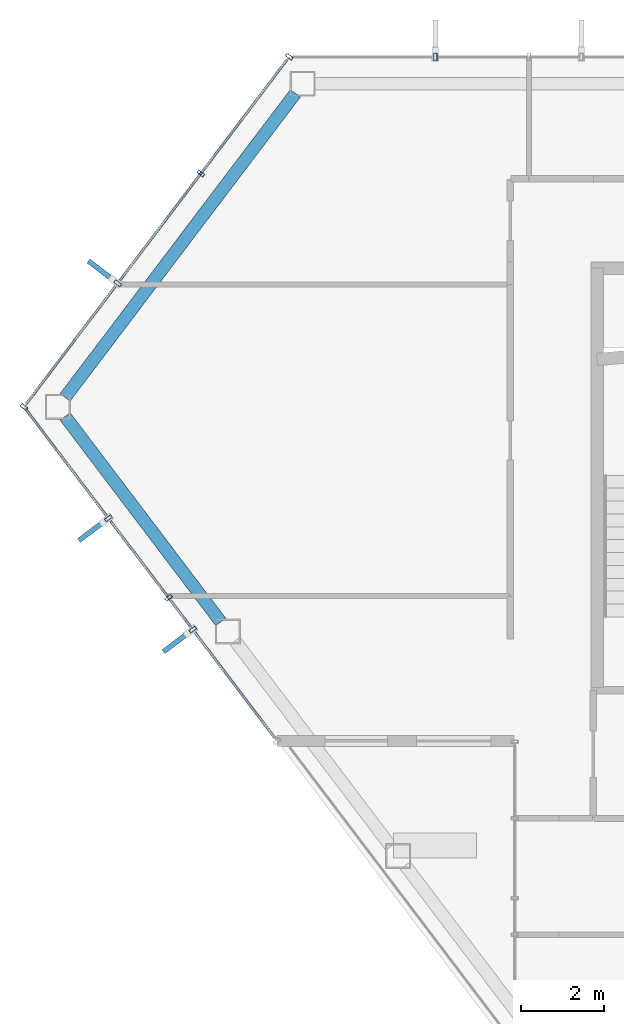
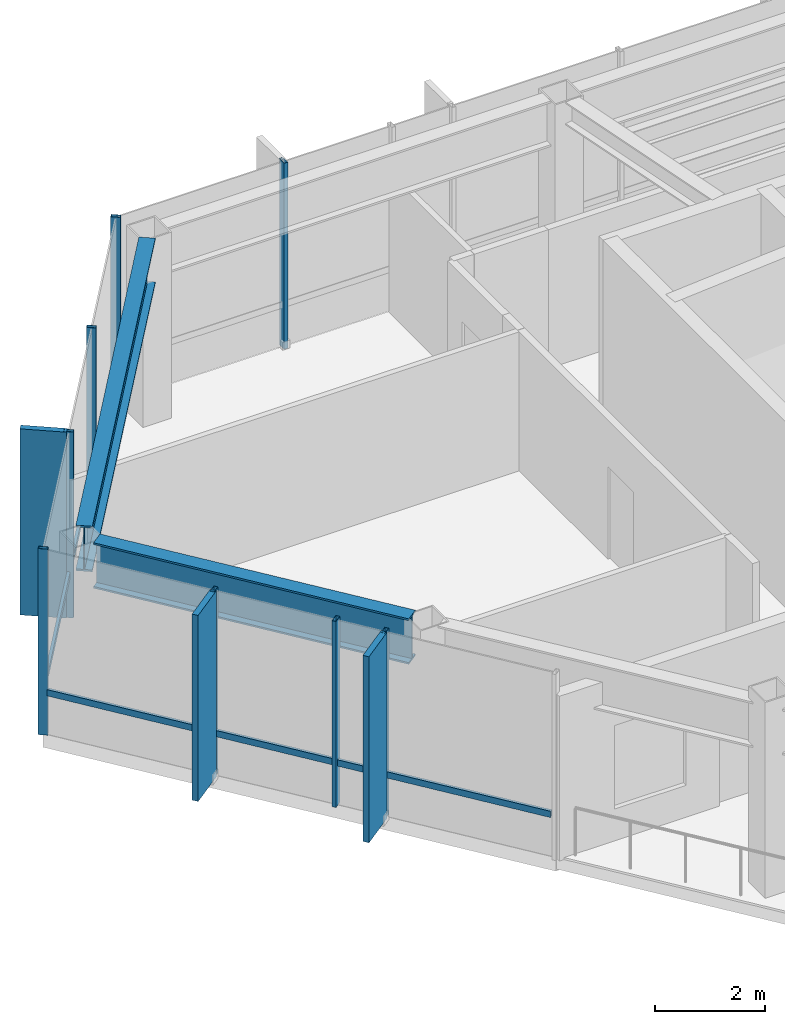
# One storey, part 7 of 23: 13 members, 2 beams, 3 elements without a shape of their own.
"""IFC4 building model written with IfcOpenShell, lengths in metres."""

from ifc_helpers import new_model, si_unit, direction, frame, origin, origin_2d, place, context, subcontext, project, spatial, rectangle, hollow_rectangle, i_section, extrude, material, layer, layer_set, material_profile, profile_set, type_object, element, aggregate, save


model = new_model("IFC4")

# Units and contexts
model_context = context("Model", 3, precision=1e-05, world=origin(), true_north=direction((0.0, 1.0)))
body_context = subcontext(model_context, "Body", "Model", "MODEL_VIEW")
ifc_project = project(units=[si_unit("LENGTHUNIT", "METRE"), si_unit("AREAUNIT", "SQUARE_METRE"), si_unit("VOLUMEUNIT", "CUBIC_METRE"), si_unit("PLANEANGLEUNIT", "RADIAN"), si_unit("MASSUNIT", "GRAM", prefix="KILO")], contexts=[model_context])

# Site, building, storey
site_placement = place(None, origin())
site = spatial("IfcSite", under=ifc_project, at=site_placement, CompositionType="ELEMENT")
building_placement = place(site_placement, origin())
building = spatial("IfcBuilding", under=site, at=building_placement, Name="Zarrinselat Tower", CompositionType="ELEMENT")
storey_placement = place(building_placement, frame((0.0, 0.0, 199.919921875)))
storey = spatial("IfcBuildingStorey", under=building, at=storey_placement, Name="L49", CompositionType="ELEMENT", Elevation=199.919921875)

# Beams
ifc_material_1 = material(Name="Steel S460M", Category="steel")
ifc_material_profile_1 = material_profile(ifc_material_1, i_section(OverallWidth=0.302001953125, OverallDepth=1.008056640625, WebThickness=0.02099609375, FlangeThickness=0.0400390625, at=origin_2d()), Name="HEM 1000")
ifc_profile_set_1 = profile_set([ifc_material_profile_1], Name="Steel S460M")
beam_type = type_object("IfcBeamType", Name="BM-HEM1000", PredefinedType="BEAM", material=ifc_profile_set_1)
beam_1_placement = place(storey_placement, frame((15.83203125, 40.28759765625, 3.615966796875), z_axis=(0.603862805191, 0.797088271465, 0.0), x_axis=(-0.797088271465, 0.603862805191, 0.0)))
element("IfcBeam", 1, at=beam_1_placement, inside=storey, type_object=beam_type, Name="L49 Perimeter Spandrel Girder SP05", PredefinedType="BEAM", context=body_context, shape_type="SweptSolid", body=[
    extrude(i_section(OverallWidth=0.302001953125, OverallDepth=1.008056640625, WebThickness=0.02099609375, FlangeThickness=0.0400390625, at=origin_2d()), origin(), (0.0, 0.0, 1.0), 9.185546875),
])
beam_2_placement = place(storey_placement, frame((15.83203125, 39.828369140625, 3.615966796875), z_axis=(0.603856930737, -0.797092721834, 0.0), x_axis=(0.797092721834, 0.603856930737, 0.0)))
element("IfcBeam", 2, at=beam_2_placement, inside=storey, type_object=beam_type, Name="L49 Perimeter Spandrel Girder SP06", PredefinedType="BEAM", context=body_context, shape_type="SweptSolid", body=[
    extrude(i_section(OverallWidth=0.302001953125, OverallDepth=1.008056640625, WebThickness=0.02099609375, FlangeThickness=0.0400390625, at=origin_2d()), origin(), (0.0, 0.0, 1.0), 6.207275390625),
])

# Curtain wall, members
ifc_material_2 = material(Name="Extruded Aluminium Alloy EN AW-6063 T6", Category="aluminium")
ifc_layer = layer(ifc_material_2, 0.195068359375)
ifc_layer_set = layer_set([ifc_layer], Name="Extruded Aluminium Alloy EN AW-6063 T6")
curtain_wall_type = type_object("IfcCurtainWallType", Name="CWS-GDN", PredefinedType="NOTDEFINED", material=ifc_layer_set)
curtain_wall_1_placement = place(storey_placement, origin())
curtain_wall_1 = element("IfcCurtainWall", 3, at=curtain_wall_1_placement, inside=storey, type_object=curtain_wall_type, Name="L49 Unitised Curtain Wall CW-L49-E01", PredefinedType="NOTDEFINED")
ifc_material_3 = material(Name="Extruded Aluminium Alloy EN AW-6063 T6", Category="aluminium")
ifc_material_profile_2 = material_profile(ifc_material_3, hollow_rectangle(XDim=0.080078125, YDim=0.179931640625, WallThickness=0.0048828125, at=origin_2d()), Name="RHS 180x80x5")
ifc_profile_set_2 = profile_set([ifc_material_profile_2], Name="Extruded Aluminium Alloy EN AW-6063 T6")
member_type_1 = type_object("IfcMemberType", Name="MEM-CW-MUL", PredefinedType="MULLION", material=ifc_profile_set_2)
member_1_placement = place(storey_placement, frame((14.8427734375, 40.057861328125, 0.0), z_axis=(0.0, 0.0, 1.0), x_axis=(0.603857870018, 0.797092010258, 0.0)))
member_1 = element("IfcMember", 4, at=member_1_placement, type_object=member_type_1, Name="CW-L49-E01 Mullion 0", PredefinedType="MULLION", context=body_context, shape_type="SweptSolid", body=[
    extrude(hollow_rectangle(XDim=0.080078125, YDim=0.179931640625, WallThickness=0.0048828125, at=origin_2d()), origin(), (0.0, 0.0, 1.0), 4.1201171875),
])
member_2_placement = place(storey_placement, frame((17.09912109375, 43.0361328125, 0.0), z_axis=(0.0, 0.0, 1.0), x_axis=(0.603857870018, 0.797092010258, 0.0)))
member_2 = element("IfcMember", 5, at=member_2_placement, type_object=member_type_1, Name="CW-L49-E01 Mullion 1", PredefinedType="MULLION", context=body_context, shape_type="SweptSolid", body=[
    extrude(hollow_rectangle(XDim=0.080078125, YDim=0.179931640625, WallThickness=0.0048828125, at=origin_2d()), origin(), (0.0, 0.0, 1.0), 4.1201171875),
])
member_3_placement = place(storey_placement, frame((19.100830078125, 45.6787109375, 0.0), z_axis=(0.0, 0.0, 1.0), x_axis=(0.603857870018, 0.797092010258, 0.0)))
member_3 = element("IfcMember", 6, at=member_3_placement, type_object=member_type_1, Name="CW-L49-E01 Mullion 2", PredefinedType="MULLION", context=body_context, shape_type="SweptSolid", body=[
    extrude(hollow_rectangle(XDim=0.080078125, YDim=0.179931640625, WallThickness=0.0048828125, at=origin_2d()), origin(), (0.0, 0.0, 1.0), 4.1201171875),
])
member_4_placement = place(storey_placement, frame((21.22998046875, 48.489013671875, 0.0), z_axis=(0.0, 0.0, 1.0), x_axis=(0.603857870018, 0.797092010258, 0.0)))
member_4 = element("IfcMember", 7, at=member_4_placement, type_object=member_type_1, Name="CW-L49-E01 Mullion 3", PredefinedType="MULLION", context=body_context, shape_type="SweptSolid", body=[
    extrude(hollow_rectangle(XDim=0.080078125, YDim=0.179931640625, WallThickness=0.0048828125, at=origin_2d()), origin(), (0.0, 0.0, 1.0), 4.1201171875),
])

# Curtain wall, member
curtain_wall_2_placement = place(storey_placement, origin())
curtain_wall_2 = element("IfcCurtainWall", 8, at=curtain_wall_2_placement, inside=storey, type_object=curtain_wall_type, Name="L49 Unitised Curtain Wall CW-L49-E02", PredefinedType="NOTDEFINED")
member_5_placement = place(storey_placement, frame((24.747314453125, 48.489013671875, 0.0), z_axis=(0.0, 0.0, 1.0), x_axis=(1.0, 0.0, 0.0)))
member_5 = element("IfcMember", 9, at=member_5_placement, type_object=member_type_1, Name="CW-L49-E02 Mullion 1", PredefinedType="MULLION", context=body_context, shape_type="SweptSolid", body=[
    extrude(hollow_rectangle(XDim=0.080078125, YDim=0.179931640625, WallThickness=0.0048828125, at=origin_2d()), origin(), (0.0, 0.0, 1.0), 4.1201171875),
])
aggregate(curtain_wall_2, [member_5])

# Curtain wall, members
curtain_wall_3_placement = place(storey_placement, origin())
curtain_wall_3 = element("IfcCurtainWall", 10, at=curtain_wall_3_placement, inside=storey, type_object=curtain_wall_type, Name="L49 Unitised Curtain Wall CW-L49-E25", PredefinedType="NOTDEFINED")
member_6_placement = place(storey_placement, frame((18.90478515625, 34.696044921875, 0.0), z_axis=(0.0, 0.0, 1.0), x_axis=(-0.603858445775, 0.797091574078, 0.0)))
member_6 = element("IfcMember", 11, at=member_6_placement, type_object=member_type_1, Name="CW-L49-E25 Mullion 1", PredefinedType="MULLION", context=body_context, shape_type="SweptSolid", body=[
    extrude(hollow_rectangle(XDim=0.080078125, YDim=0.179931640625, WallThickness=0.0048828125, at=origin_2d()), origin(), (0.0, 0.0, 1.0), 4.1201171875),
])
member_7_placement = place(storey_placement, frame((18.322998046875, 35.4638671875, 0.0), z_axis=(0.0, 0.0, 1.0), x_axis=(-0.603858445775, 0.797091574078, 0.0)))
member_7 = element("IfcMember", 12, at=member_7_placement, type_object=member_type_1, Name="CW-L49-E25 Mullion 2", PredefinedType="MULLION", context=body_context, shape_type="SweptSolid", body=[
    extrude(hollow_rectangle(XDim=0.080078125, YDim=0.179931640625, WallThickness=0.0048828125, at=origin_2d()), origin(), (0.0, 0.0, 1.0), 4.1201171875),
])
member_8_placement = place(storey_placement, frame((16.873779296875, 37.376953125, 0.0), z_axis=(0.0, 0.0, 1.0), x_axis=(-0.603858445775, 0.797091574078, 0.0)))
member_8 = element("IfcMember", 13, at=member_8_placement, type_object=member_type_1, Name="CW-L49-E25 Mullion 3", PredefinedType="MULLION", context=body_context, shape_type="SweptSolid", body=[
    extrude(hollow_rectangle(XDim=0.080078125, YDim=0.179931640625, WallThickness=0.0048828125, at=origin_2d()), origin(), (0.0, 0.0, 1.0), 4.1201171875),
])

# Member
ifc_material_4 = material(Name="Extruded Aluminium Alloy EN AW-6063 T6", Category="aluminium")
ifc_material_profile_3 = material_profile(ifc_material_4, hollow_rectangle(XDim=0.06005859375, YDim=0.139892578125, WallThickness=0.00390625, at=origin_2d()), Name="RHS 140x60x4")
ifc_profile_set_3 = profile_set([ifc_material_profile_3], Name="Extruded Aluminium Alloy EN AW-6063 T6")
member_type_2 = type_object("IfcMemberType", Name="MEM-CW-TRN", PredefinedType="USERDEFINED", material=ifc_profile_set_3)
member_9_placement = place(storey_placement, frame((14.89697265625, 40.129638671875, 0.9501953125), z_axis=(0.603862660929, 0.797088380756, 0.0), x_axis=(-0.797088380756, 0.603862660929, 0.0)))
member_9 = element("IfcMember", 14, at=member_9_placement, type_object=member_type_2, Name="CW-L49-E01 Transom 1", ObjectType="TRANSOM", PredefinedType="USERDEFINED", context=body_context, shape_type="SweptSolid", body=[
    extrude(hollow_rectangle(XDim=0.06005859375, YDim=0.139892578125, WallThickness=0.00390625, at=origin_2d()), origin(), (0.0, 0.0, 1.0), 10.397216796875),
])

member_10_placement = place(storey_placement, frame((20.881591796875, 32.086669921875, 0.9501953125), z_axis=(-0.603871442543, 0.797081727855, 0.0), x_axis=(-0.797081727855, -0.603871442543, 0.0)))
member_10 = element("IfcMember", 15, at=member_10_placement, type_object=member_type_2, Name="CW-L49-E25 Transom 1", ObjectType="TRANSOM", PredefinedType="USERDEFINED", context=body_context, shape_type="SweptSolid", body=[
    extrude(hollow_rectangle(XDim=0.06005859375, YDim=0.139892578125, WallThickness=0.00390625, at=origin_2d()), origin(), (0.0, 0.0, 1.0), 9.910400390625),
])

ifc_material_5 = material(Name="Honed Cream Travertine Stone", Category="masonry")
ifc_material_profile_4 = material_profile(ifc_material_5, rectangle(XDim=0.1201171875, YDim=0.85009765625, at=origin_2d()), Name="FIN 850x120")
ifc_profile_set_4 = profile_set([ifc_material_profile_4], Name="Honed Cream Travertine Stone")
member_type_3 = type_object("IfcMemberType", Name="MEM-STONE-FIN", PredefinedType="USERDEFINED", material=ifc_profile_set_4)
member_11_placement = place(storey_placement, frame((16.732421875, 43.31396484375, 0.0), z_axis=(0.0, 0.0, 1.0), x_axis=(0.603857870018, 0.797092010258, 0.0)))
member_11 = element("IfcMember", 16, at=member_11_placement, type_object=member_type_3, Name="L49 Stone Shading Fin CW-L49-E01-01", ObjectType="FIN", PredefinedType="USERDEFINED", context=body_context, shape_type="SweptSolid", body=[
    extrude(rectangle(XDim=0.1201171875, YDim=0.85009765625, at=origin_2d()), origin(), (0.0, 0.0, 1.0), 4.1201171875),
])

aggregate(curtain_wall_1, [member_1, member_2, member_11, member_3, member_4, member_9])

member_12_placement = place(storey_placement, frame((18.5380859375, 34.418212890625, 0.0), z_axis=(0.0, 0.0, 1.0), x_axis=(-0.603858445775, 0.797091574078, 0.0)))
member_12 = element("IfcMember", 17, at=member_12_placement, type_object=member_type_3, Name="L49 Stone Shading Fin CW-L49-E25-01", ObjectType="FIN", PredefinedType="USERDEFINED", context=body_context, shape_type="SweptSolid", body=[
    extrude(rectangle(XDim=0.1201171875, YDim=0.85009765625, at=origin_2d()), origin(), (0.0, 0.0, 1.0), 4.1201171875),
])

member_13_placement = place(storey_placement, frame((16.507080078125, 37.09912109375, 0.0), z_axis=(0.0, 0.0, 1.0), x_axis=(-0.603858445775, 0.797091574078, 0.0)))
member_13 = element("IfcMember", 18, at=member_13_placement, type_object=member_type_3, Name="L49 Stone Shading Fin CW-L49-E25-03", ObjectType="FIN", PredefinedType="USERDEFINED", context=body_context, shape_type="SweptSolid", body=[
    extrude(rectangle(XDim=0.1201171875, YDim=0.85009765625, at=origin_2d()), origin(), (0.0, 0.0, 1.0), 4.1201171875),
])

aggregate(curtain_wall_3, [member_6, member_12, member_7, member_8, member_13, member_10])

save(model, "model.ifc")
